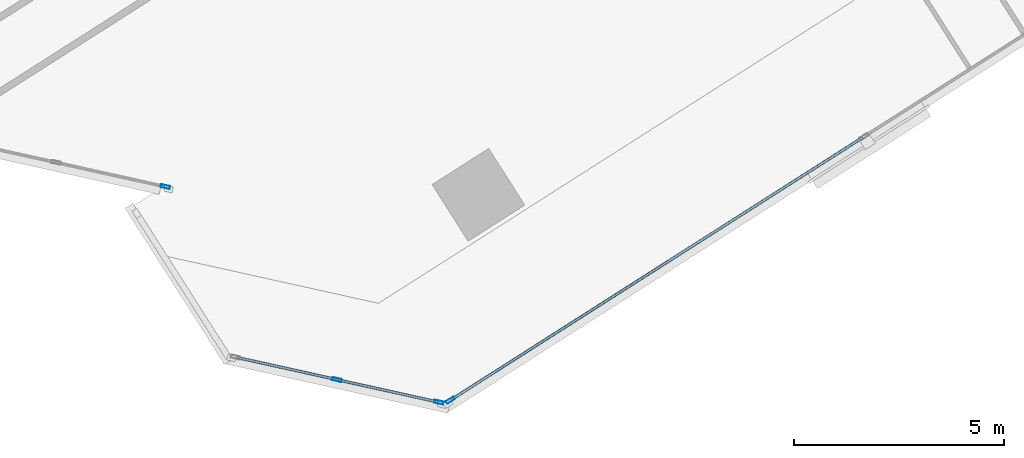
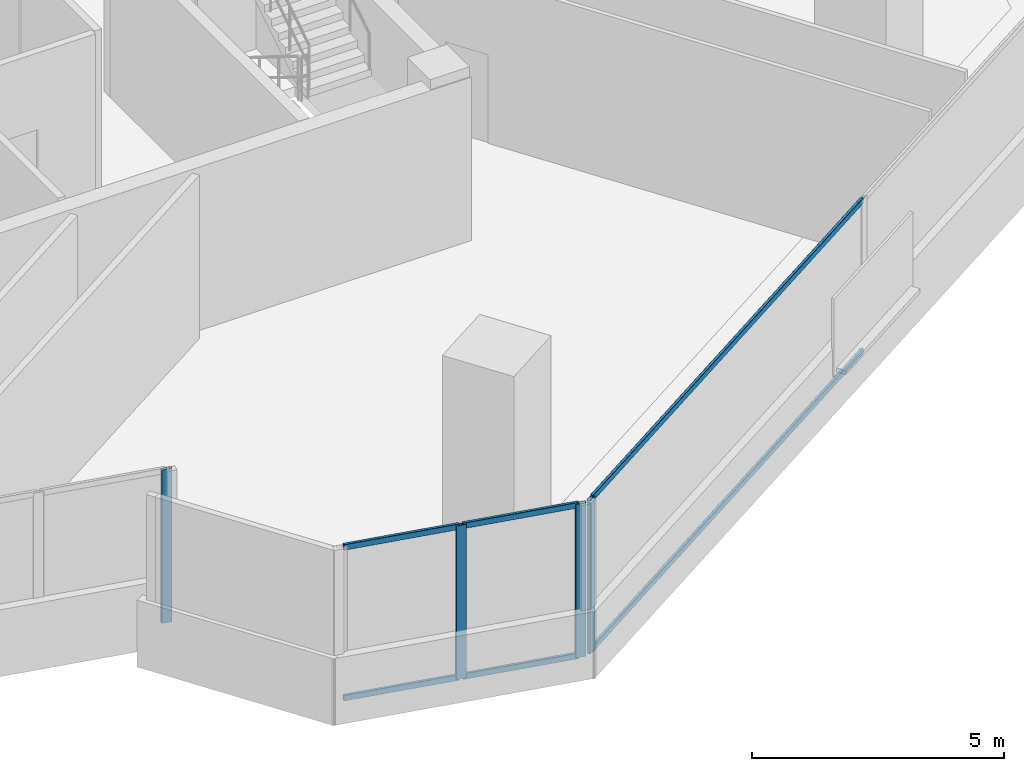
# One storey, part 3 of 14: 10 members, 3 elements without a shape of their own.
"""IFC4 building model written with IfcOpenShell, lengths in metres."""

from ifc_helpers import new_model, si_unit, direction, frame, origin, origin_2d, place, context, subcontext, project, spatial, hollow_rectangle, extrude, source, transform, mapped, material, material_profile, profile_set, type_object, element, aggregate, save


model = new_model("IFC4")

# Units and contexts
model_context = context("Model", 3, precision=1e-05, world=origin(), true_north=direction((0.0, 1.0)))
body_context = subcontext(model_context, "Body", "Model", "MODEL_VIEW")
ifc_project = project(units=[si_unit("LENGTHUNIT", "METRE"), si_unit("AREAUNIT", "SQUARE_METRE"), si_unit("VOLUMEUNIT", "CUBIC_METRE"), si_unit("PLANEANGLEUNIT", "RADIAN"), si_unit("MASSUNIT", "GRAM", prefix="KILO")], contexts=[model_context])

# Site, building, storey
site_placement = place(None, origin())
site = spatial("IfcSite", under=ifc_project, at=site_placement, CompositionType="ELEMENT")
building_placement = place(site_placement, origin())
building = spatial("IfcBuilding", under=site, at=building_placement, Name="Torre Montelarca", CompositionType="ELEMENT")
storey_placement = place(building_placement, frame((0.0, 0.0, 315.60009765625)))
storey = spatial("IfcBuildingStorey", under=building, at=storey_placement, Name="L71", CompositionType="ELEMENT", Elevation=315.60009765625)

# Curtain wall, member
ifc_material_1 = material(Name="Insulated low-E laminated glass", Category="glass")
curtain_wall_type = type_object("IfcCurtainWallType", Name="CW-SYS-Z4", PredefinedType="USERDEFINED", material=ifc_material_1)
curtain_wall_1_placement = place(storey_placement, origin())
curtain_wall_1 = element("IfcCurtainWall", 1, at=curtain_wall_1_placement, inside=storey, type_object=curtain_wall_type, Name="L71 Curtain Wall Run CW-T3-L71-E02-B1", ObjectType="UNITISED GLAZING", PredefinedType="USERDEFINED")
ifc_material_2 = material(Name="Anodised aluminium AA 6063-T6", Category="aluminium")
ifc_material_profile_1 = material_profile(ifc_material_2, hollow_rectangle(XDim=0.074951171875, YDim=0.219970703125, WallThickness=0.0048828125, InnerFilletRadius=0.0048828125, OuterFilletRadius=0.010009765625, at=origin_2d()), Name="ALU75X220X5", Category="aluminium")
ifc_profile_set_1 = profile_set([ifc_material_profile_1], Name="Anodised aluminium AA 6063-T6")
member_type_1 = type_object("IfcMemberType", Name="CWM-ALU220", PredefinedType="MULLION", material=ifc_profile_set_1)
shared_shape_1 = source(origin(), body_context, "Body", "SweptSolid", [
    extrude(hollow_rectangle(XDim=0.074951171875, YDim=0.219970703125, WallThickness=0.0048828125, InnerFilletRadius=0.0048828125, OuterFilletRadius=0.010009765625, at=origin_2d()), origin(), (0.0, 0.0, 1.0), 3.719970703125),
])
member_1_placement = place(storey_placement, frame((15.077880859375, 15.667236328125, 0.0), z_axis=(0.0, 0.0, 1.0), x_axis=(0.216448974638, 0.976293931856, 0.0)))
member_1 = element("IfcMember", 2, at=member_1_placement, type_object=member_type_1, Name="CW mullion 3", PredefinedType="MULLION", context=body_context, shape_type="MappedRepresentation", body=[
    mapped(shared_shape_1, transform((0.0, 0.0, 0.0), scale=1.0)),
])
aggregate(curtain_wall_1, [member_1])

# Curtain wall, members
curtain_wall_2_placement = place(storey_placement, origin())
curtain_wall_2 = element("IfcCurtainWall", 3, at=curtain_wall_2_placement, inside=storey, type_object=curtain_wall_type, Name="L71 Curtain Wall Run CW-T3-L71-E05-B1", ObjectType="UNITISED GLAZING", PredefinedType="USERDEFINED")
member_2_placement = place(storey_placement, frame((19.176513671875, 11.06494140625, 0.0), z_axis=(0.0, 0.0, 1.0), x_axis=(0.216439080105, 0.976296125468, 0.0)))
member_2 = element("IfcMember", 4, at=member_2_placement, type_object=member_type_1, Name="CW mullion 2", PredefinedType="MULLION", context=body_context, shape_type="MappedRepresentation", body=[
    mapped(shared_shape_1, transform((0.0, 0.0, 0.0), scale=1.0)),
])
member_3_placement = place(storey_placement, frame((21.601318359375, 10.52734375, 0.0), z_axis=(0.0, 0.0, 1.0), x_axis=(0.216439080105, 0.976296125468, 0.0)))
member_3 = element("IfcMember", 5, at=member_3_placement, type_object=member_type_1, Name="CW mullion 3", PredefinedType="MULLION", context=body_context, shape_type="MappedRepresentation", body=[
    mapped(shared_shape_1, transform((0.0, 0.0, 0.0), scale=1.0)),
])

# Curtain wall, member
curtain_wall_3_placement = place(storey_placement, origin())
curtain_wall_3 = element("IfcCurtainWall", 6, at=curtain_wall_3_placement, inside=storey, type_object=curtain_wall_type, Name="L71 Curtain Wall Run CW-T3-L71-E06-B1", ObjectType="UNITISED GLAZING", PredefinedType="USERDEFINED")
member_4_placement = place(storey_placement, frame((21.873291015625, 10.5751953125, 0.0), z_axis=(0.0, 0.0, 1.0), x_axis=(-0.537301679311, 0.84339012646, 0.0)))
member_4 = element("IfcMember", 7, at=member_4_placement, type_object=member_type_1, Name="CW mullion 1", PredefinedType="MULLION", context=body_context, shape_type="MappedRepresentation", body=[
    mapped(shared_shape_1, transform((0.0, 0.0, 0.0), scale=1.0)),
])

# Member
ifc_material_profile_2 = material_profile(ifc_material_2, hollow_rectangle(XDim=0.06494140625, YDim=0.139892578125, WallThickness=0.00390625, InnerFilletRadius=0.00390625, OuterFilletRadius=0.008056640625, at=origin_2d()), Name="ALU65X140X4", Category="aluminium")
ifc_profile_set_2 = profile_set([ifc_material_profile_2], Name="Anodised aluminium AA 6063-T6")
member_type_2 = type_object("IfcMemberType", Name="CWT-ALU140", PredefinedType="USERDEFINED", material=ifc_profile_set_2)
shared_shape_2 = source(origin(), body_context, "Body", "SweptSolid", [
    extrude(hollow_rectangle(XDim=0.06494140625, YDim=0.139892578125, WallThickness=0.00390625, InnerFilletRadius=0.00390625, OuterFilletRadius=0.008056640625, at=origin_2d()), origin(), (0.0, 0.0, 1.0), 2.40869140625),
])
member_5_placement = place(storey_placement, frame((16.788330078125, 11.594482421875, 0.032470703125), z_axis=(0.976282361765, -0.216501154976, 0.0), x_axis=(0.216501154976, 0.976282361765, 0.0)))
member_5 = element("IfcMember", 8, at=member_5_placement, type_object=member_type_2, Name="CW transom 1.1", ObjectType="TRANSOM", PredefinedType="USERDEFINED", context=body_context, shape_type="MappedRepresentation", body=[
    mapped(shared_shape_2, transform((0.0, 0.0, 0.0), scale=1.0)),
])

member_6_placement = place(storey_placement, frame((16.788330078125, 11.594482421875, 3.6875), z_axis=(0.976282361765, -0.216501154976, 0.0), x_axis=(0.216501154976, 0.976282361765, 0.0)))
member_6 = element("IfcMember", 9, at=member_6_placement, type_object=member_type_2, Name="CW transom 1.2", ObjectType="TRANSOM", PredefinedType="USERDEFINED", context=body_context, shape_type="MappedRepresentation", body=[
    mapped(shared_shape_2, transform((0.0, 0.0, 0.0), scale=1.0)),
])

member_7_placement = place(storey_placement, frame((19.213134765625, 11.056884765625, 0.032470703125), z_axis=(0.976282361765, -0.216501154976, 0.0), x_axis=(0.216501154976, 0.976282361765, 0.0)))
member_7 = element("IfcMember", 10, at=member_7_placement, type_object=member_type_2, Name="CW transom 2.1", ObjectType="TRANSOM", PredefinedType="USERDEFINED", context=body_context, shape_type="MappedRepresentation", body=[
    mapped(shared_shape_2, transform((0.0, 0.0, 0.0), scale=1.0)),
])

member_8_placement = place(storey_placement, frame((19.213134765625, 11.056884765625, 3.6875), z_axis=(0.976282361765, -0.216501154976, 0.0), x_axis=(0.216501154976, 0.976282361765, 0.0)))
member_8 = element("IfcMember", 11, at=member_8_placement, type_object=member_type_2, Name="CW transom 2.2", ObjectType="TRANSOM", PredefinedType="USERDEFINED", context=body_context, shape_type="MappedRepresentation", body=[
    mapped(shared_shape_2, transform((0.0, 0.0, 0.0), scale=1.0)),
])

aggregate(curtain_wall_2, [member_2, member_3, member_5, member_6, member_7, member_8])

shared_shape_3 = source(origin(), body_context, "Body", "SweptSolid", [
    extrude(hollow_rectangle(XDim=0.06494140625, YDim=0.139892578125, WallThickness=0.00390625, InnerFilletRadius=0.00390625, OuterFilletRadius=0.008056640625, at=origin_2d()), origin(), (0.0, 0.0, 1.0), 11.62158203125),
])
member_9_placement = place(storey_placement, frame((21.905029296875, 10.595458984375, 0.032470703125), z_axis=(0.843386302906, 0.537307681008, 0.0), x_axis=(-0.537307681008, 0.843386302906, 0.0)))
member_9 = element("IfcMember", 12, at=member_9_placement, type_object=member_type_2, Name="CW transom 1.1", ObjectType="TRANSOM", PredefinedType="USERDEFINED", context=body_context, shape_type="MappedRepresentation", body=[
    mapped(shared_shape_3, transform((0.0, 0.0, 0.0), scale=1.0)),
])

member_10_placement = place(storey_placement, frame((21.905029296875, 10.595458984375, 3.6875), z_axis=(0.843386302906, 0.537307681008, 0.0), x_axis=(-0.537307681008, 0.843386302906, 0.0)))
member_10 = element("IfcMember", 13, at=member_10_placement, type_object=member_type_2, Name="CW transom 1.2", ObjectType="TRANSOM", PredefinedType="USERDEFINED", context=body_context, shape_type="MappedRepresentation", body=[
    mapped(shared_shape_3, transform((0.0, 0.0, 0.0), scale=1.0)),
])

aggregate(curtain_wall_3, [member_4, member_9, member_10])

save(model, "model.ifc")
